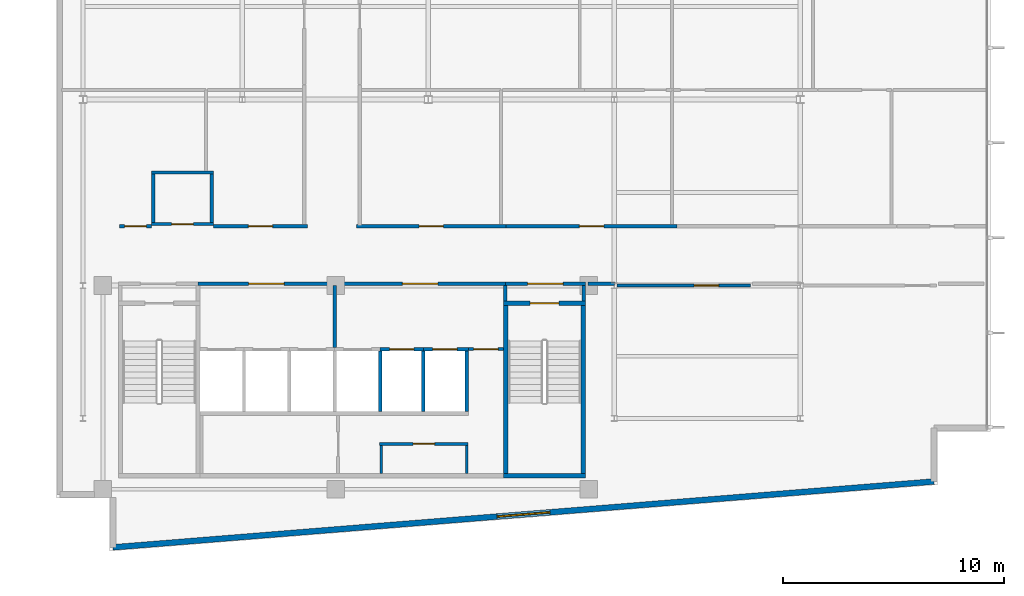
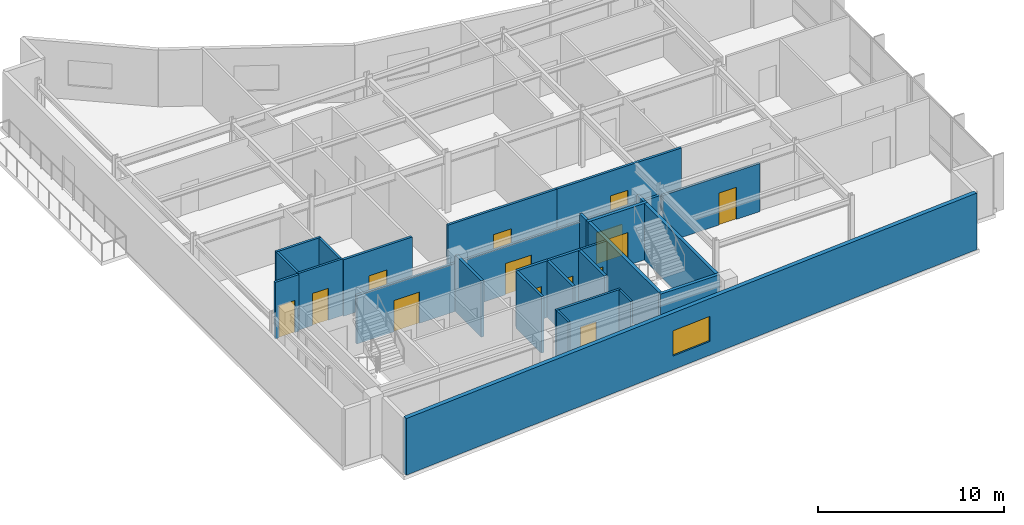
# One storey, part 11 of 16: 30 walls, 14 doors, 1 window, 15 openings.
"""IFC4 building model written with IfcOpenShell, lengths in metres."""

from ifc_helpers import new_model, si_unit, direction, frame, frame_2d, origin, place, context, subcontext, project, spatial, rectangle, extrude, material, layer, layer_set, type_object, element, fill, save


model = new_model("IFC4")

# Units and contexts
model_context = context("Model", 3, precision=1e-05, world=origin(), true_north=direction((0.0, 1.0)))
body_context = subcontext(model_context, "Body", "Model", "MODEL_VIEW")
ifc_project = project(units=[si_unit("LENGTHUNIT", "METRE"), si_unit("AREAUNIT", "SQUARE_METRE"), si_unit("VOLUMEUNIT", "CUBIC_METRE"), si_unit("PLANEANGLEUNIT", "RADIAN"), si_unit("MASSUNIT", "GRAM", prefix="KILO")], contexts=[model_context])

# Site, building, storey
site_placement = place(None, origin())
site = spatial("IfcSite", under=ifc_project, at=site_placement, CompositionType="ELEMENT")
building_placement = place(site_placement, origin())
building = spatial("IfcBuilding", under=site, at=building_placement, Name="Varnakote Quay Hospital", CompositionType="ELEMENT")
storey_placement = place(building_placement, frame((0.0, 0.0, 264.449951171875)))
storey = spatial("IfcBuildingStorey", under=building, at=storey_placement, Name="L65", CompositionType="ELEMENT", Elevation=264.449951171875)

# Wall, opening, door
ifc_material_1 = material(Name="Fire-rated acoustic gypsum stud wall", Category="gypsum")
ifc_layer_1 = layer(ifc_material_1, 0.159912109375)
ifc_layer_set_1 = layer_set([ifc_layer_1], Name="Fire-rated acoustic gypsum stud wall")
wall_type_1 = type_object("IfcWallType", Name="WL-COMP-160", PredefinedType="PARTITIONING", material=ifc_layer_set_1)
wall_1_placement = place(storey_placement, frame((6.39990234375, 12.080078125, 0.0), z_axis=(0.0, 0.0, 1.0), x_axis=(1.0, 0.0, 0.0)))
wall_1 = element("IfcWall", 1, at=wall_1_placement, inside=storey, type_object=wall_type_1, Name="L65 Firefighting Lift Lobby Compartment Wall", PredefinedType="PARTITIONING", context=body_context, shape_type="SweptSolid", body=[
    extrude(rectangle(XDim=6.18017578125, YDim=0.159912109375, at=frame_2d((3.090087890625, 0.0))), origin(), (0.0, 0.0, 1.0), 3.156982421875),
])
opening_1_placement = place(wall_1_placement, frame((2.2900390625, 0.0, 0.0)))
opening_1 = element("IfcOpeningElement", 2, at=opening_1_placement, cuts=wall_1, Name="Opening D-FFL-L65", PredefinedType="OPENING", context=body_context, shape_type="SweptSolid", body=[
    extrude(rectangle(XDim=1.60009765625, YDim=2.050048828125, at=frame_2d((0.800048828125, 1.02490234375))), frame((0.0, 0.08984375, 0.0), z_axis=(0.0, -1.0, 0.0), x_axis=(1.0, 0.0, 0.0)), (0.0, 0.0, 1.0), 0.179931640625),
])
ifc_material_2 = material(Name="Fire-rated double smoke lobby door")
door_type_1 = type_object("IfcDoorType", Name="DR-LOBBY-FD60S-1600x2150", OperationType="NOTDEFINED", PredefinedType="DOOR", material=ifc_material_2)
door_1_placement = place(opening_1_placement, origin())
door_1 = element("IfcDoor", 3, at=door_1_placement, inside=storey, type_object=door_type_1, Name="L65 Firefighting Smoke Vestibule Door", OperationType="DOUBLE_DOOR_SINGLE_SWING", OverallHeight=2.050048828125, OverallWidth=1.60009765625, PredefinedType="DOOR", context=body_context, shape_type="SweptSolid", body=[
    extrude(rectangle(XDim=1.60009765625, YDim=2.050048828125, at=frame_2d((0.800048828125, 1.02490234375))), frame((0.0, 0.02490234375, 0.0), z_axis=(0.0, -1.0, 0.0), x_axis=(1.0, 0.0, 0.0)), (0.0, 0.0, 1.0), 0.050048828125),
])
fill(opening_1, door_1)

# Wall
wall_2_placement = place(storey_placement, frame((12.580078125, 9.2099609375, 0.0), z_axis=(0.0, 0.0, 1.0), x_axis=(0.0, 1.0, 0.0)))
element("IfcWall", 4, at=wall_2_placement, inside=storey, type_object=wall_type_1, Name="L65 Firefighting to Service Lobby Wall", PredefinedType="PARTITIONING", context=body_context, shape_type="SweptSolid", body=[
    extrude(rectangle(XDim=2.7900390625, YDim=0.159912109375, at=frame_2d((1.39501953125, 0.0))), origin(), (0.0, 0.0, 1.0), 3.7099609375),
])

# Wall, opening, door
wall_3_placement = place(storey_placement, frame((12.580078125, 12.080078125, 0.0), z_axis=(0.0, 0.0, 1.0), x_axis=(1.0, 0.0, 0.0)))
wall_3 = element("IfcWall", 5, at=wall_3_placement, inside=storey, type_object=wall_type_1, Name="L65 Clinical Bed Lift Lobby Wall", PredefinedType="PARTITIONING", context=body_context, shape_type="SweptSolid", body=[
    extrude(rectangle(XDim=7.699951171875, YDim=0.159912109375, at=frame_2d((3.85009765625, 0.0))), origin(), (0.0, 0.0, 1.0), 3.156982421875),
])
opening_2_placement = place(wall_3_placement, frame((3.050048828125, 0.0, 0.0)))
opening_2 = element("IfcOpeningElement", 6, at=opening_2_placement, cuts=wall_3, Name="Opening D-SVL-L65", PredefinedType="OPENING", context=body_context, shape_type="SweptSolid", body=[
    extrude(rectangle(XDim=1.60009765625, YDim=2.050048828125, at=frame_2d((0.800048828125, 1.02490234375))), frame((0.0, 0.08984375, 0.0), z_axis=(0.0, -1.0, 0.0), x_axis=(1.0, 0.0, 0.0)), (0.0, 0.0, 1.0), 0.179931640625),
])
door_2_placement = place(opening_2_placement, origin())
door_2 = element("IfcDoor", 7, at=door_2_placement, inside=storey, type_object=door_type_1, Name="L65 Clinical Core Smoke Vestibule Door", OperationType="DOUBLE_DOOR_SINGLE_SWING", OverallHeight=2.050048828125, OverallWidth=1.60009765625, PredefinedType="DOOR", context=body_context, shape_type="SweptSolid", body=[
    extrude(rectangle(XDim=1.60009765625, YDim=2.050048828125, at=frame_2d((0.800048828125, 1.02490234375))), frame((0.0, 0.02490234375, 0.0), z_axis=(0.0, -1.0, 0.0), x_axis=(1.0, 0.0, 0.0)), (0.0, 0.0, 1.0), 0.050048828125),
])
fill(opening_2, door_2)

# Wall
wall_4_placement = place(storey_placement, frame((20.280029296875, 11.300048828125, 0.0), z_axis=(0.0, 0.0, 1.0), x_axis=(0.0, 1.0, 0.0)))
element("IfcWall", 8, at=wall_4_placement, inside=storey, type_object=wall_type_1, Name="L65 East Stair Vestibule Divider Wall", PredefinedType="PARTITIONING", context=body_context, shape_type="SweptSolid", body=[
    extrude(rectangle(XDim=0.699951171875, YDim=0.159912109375, at=frame_2d((0.35009765625, 0.0))), origin(), (0.0, 0.0, 1.0), 3.7099609375),
])

# Wall, opening, door
wall_5_placement = place(storey_placement, frame((20.280029296875, 12.080078125, 0.0), z_axis=(0.0, 0.0, 1.0), x_axis=(1.0, 0.0, 0.0)))
wall_5 = element("IfcWall", 9, at=wall_5_placement, inside=storey, type_object=wall_type_1, Name="L65 East Stair Vestibule Smoke Wall", PredefinedType="PARTITIONING", context=body_context, shape_type="SweptSolid", body=[
    extrude(rectangle(XDim=3.619873046875, YDim=0.159912109375, at=frame_2d((1.81005859375, 0.0))), origin(), (0.0, 0.0, 1.0), 3.156982421875),
])
opening_3_placement = place(wall_5_placement, frame((1.010009765625, 0.0, 0.0)))
opening_3 = element("IfcOpeningElement", 10, at=opening_3_placement, cuts=wall_5, Name="Opening D-ST2L-L65", PredefinedType="OPENING", context=body_context, shape_type="SweptSolid", body=[
    extrude(rectangle(XDim=1.60009765625, YDim=2.050048828125, at=frame_2d((0.800048828125, 1.02490234375))), frame((0.0, 0.08984375, 0.0), z_axis=(0.0, -1.0, 0.0), x_axis=(1.0, 0.0, 0.0)), (0.0, 0.0, 1.0), 0.179931640625),
])
door_3_placement = place(opening_3_placement, origin())
door_3 = element("IfcDoor", 11, at=door_3_placement, inside=storey, type_object=door_type_1, Name="L65 East Stair Vestibule Smoke Door", OperationType="DOUBLE_DOOR_SINGLE_SWING", OverallHeight=2.050048828125, OverallWidth=1.60009765625, PredefinedType="DOOR", context=body_context, shape_type="SweptSolid", body=[
    extrude(rectangle(XDim=1.60009765625, YDim=2.050048828125, at=frame_2d((0.800048828125, 1.02490234375))), frame((0.0, 0.02490234375, 0.0), z_axis=(0.0, -1.0, 0.0), x_axis=(1.0, 0.0, 0.0)), (0.0, 0.0, 1.0), 0.050048828125),
])
fill(opening_3, door_3)

# Walls
wall_6_placement = place(storey_placement, frame((23.820068359375, 11.300048828125, 0.0), z_axis=(0.0, 0.0, 1.0), x_axis=(0.0, 1.0, 0.0)))
element("IfcWall", 12, at=wall_6_placement, inside=storey, type_object=wall_type_1, Name="L65 East Stair Vestibule East Wall", PredefinedType="PARTITIONING", context=body_context, shape_type="SweptSolid", body=[
    extrude(rectangle(XDim=0.699951171875, YDim=0.159912109375, at=frame_2d((0.35009765625, 0.0))), origin(), (0.0, 0.0, 1.0), 3.7099609375),
])
wall_7_placement = place(storey_placement, frame((24.02001953125, 12.080078125, 0.0), z_axis=(0.0, 0.0, 1.0), x_axis=(1.0, 0.0, 0.0)))
element("IfcWall", 13, at=wall_7_placement, inside=storey, type_object=wall_type_1, Name="L65 Corridor South Gap Wall", PredefinedType="PARTITIONING", context=body_context, shape_type="SweptSolid", body=[
    extrude(rectangle(XDim=1.2177734375, YDim=0.159912109375, at=frame_2d((0.60888671875, 0.0))), origin(), (0.0, 0.0, 1.0), 3.156982421875),
])

# Wall, opening, window
ifc_material_3 = material(Name="Precast concrete N50 (f'c 50 MPa)", Category="concrete")
ifc_layer_2 = layer(ifc_material_3, 0.260009765625)
ifc_layer_set_2 = layer_set([ifc_layer_2], Name="Precast concrete N50 (f'c 50 MPa)")
wall_type_2 = type_object("IfcWallType", Name="WL-EXT-BRICK-260", PredefinedType="STANDARD", material=ifc_layer_set_2)
wall_8_placement = place(storey_placement, frame((2.56005859375, 0.17333984375, 0.0), z_axis=(0.0, 0.0, 1.0), x_axis=(0.996798206282, 0.079958338856, 0.0)))
wall_8 = element("IfcWall", 14, at=wall_8_placement, inside=storey, type_object=wall_type_2, Name="L65 Brick-Faced Precast Exterior Wall", PredefinedType="STANDARD", context=body_context, shape_type="SweptSolid", body=[
    extrude(rectangle(XDim=37.198974609375, YDim=0.260009765625, at=frame_2d((18.599609375, 0.0))), origin(), (0.0, 0.0, 1.0), 3.7099609375),
])
opening_4_placement = place(wall_8_placement, frame((17.399658203125, 0.0, 0.89990234375)))
opening_4 = element("IfcOpeningElement", 15, at=opening_4_placement, cuts=wall_8, Name="Opening WN-0262", PredefinedType="OPENING", context=body_context, shape_type="SweptSolid", body=[
    extrude(rectangle(XDim=2.39990234375, YDim=1.64990234375, at=frame_2d((1.199951171875, 0.824951171875))), frame((0.0, 0.139892578125, 0.0), z_axis=(0.0, -1.0, 0.0), x_axis=(1.0, 0.0, 0.0)), (0.0, 0.0, 1.0), 0.280029296875),
])
ifc_material_4 = material(Name="Double-glazed low-E solar glass", Category="glass")
window_type = type_object("IfcWindowType", Name="WIN-CLIN-2400x1650", PartitioningType="SINGLE_PANEL", PredefinedType="WINDOW", material=ifc_material_4)
window_placement = place(opening_4_placement, origin())
window = element("IfcWindow", 16, at=window_placement, inside=storey, type_object=window_type, Name="L65 Solar-Control Clinical Window", OverallHeight=1.64990234375, OverallWidth=2.39990234375, PartitioningType="SINGLE_PANEL", PredefinedType="WINDOW", context=body_context, shape_type="SweptSolid", body=[
    extrude(rectangle(XDim=2.39990234375, YDim=1.64990234375, at=frame_2d((1.199951171875, 0.824951171875))), frame((0.0, 0.030029296875, 0.0), z_axis=(0.0, -1.0, 0.0), x_axis=(1.0, 0.0, 0.0)), (0.0, 0.0, 1.0), 0.06005859375),
])
fill(opening_4, window)

# Walls
ifc_material_5 = material(Name="Concrete N50 (f'c 50 MPa)", Category="concrete")
ifc_layer_3 = layer(ifc_material_5, 0.14990234375)
ifc_layer_set_3 = layer_set([ifc_layer_3], Name="Concrete N50 (f'c 50 MPa)")
wall_type_3 = type_object("IfcWallType", Name="WL-SHAFT-N50-150", PredefinedType="SHEAR", material=ifc_layer_set_3)
for number, where, z_axis, x_axis, name in (
    (17, (14.625, 6.300048828125, 0.0), (0.0, 0.0, 1.0), (0.0, 1.0, 0.0), "L65 LF-SV2 Hoistway Divider Wall"),
    (18, (16.574951171875, 6.300048828125, 0.0), (0.0, 0.0, 1.0), (0.0, 1.0, 0.0), "L65 LF-PH1 Hoistway Divider Wall"),
):
    element("IfcWall", number, at=place(storey_placement, frame(where, z_axis=z_axis, x_axis=x_axis)), inside=storey, type_object=wall_type_3, Name=name, PredefinedType="SHEAR", context=body_context, shape_type="SweptSolid", body=[
        extrude(rectangle(XDim=2.75, YDim=0.14990234375, at=frame_2d((1.375, 0.0))), origin(), (0.0, 0.0, 1.0), 3.7099609375),
    ])
ifc_material_6 = material(Name="Concrete N50 (f'c 50 MPa)", Category="concrete")
ifc_layer_4 = layer(ifc_material_6, 0.159912109375)
ifc_layer_set_4 = layer_set([ifc_layer_4], Name="Concrete N50 (f'c 50 MPa)")
wall_type_4 = type_object("IfcWallType", Name="WL-SHAFT-N50-160", PredefinedType="SHEAR", material=ifc_layer_set_4)
wall_9_placement = place(storey_placement, frame((18.530029296875, 6.300048828125, 0.0), z_axis=(0.0, 0.0, 1.0), x_axis=(0.0, 1.0, 0.0)))
element("IfcWall", 19, at=wall_9_placement, inside=storey, type_object=wall_type_4, Name="L65 REAR Lift Bank East Shear Wall", PredefinedType="SHEAR", context=body_context, shape_type="SweptSolid", body=[
    extrude(rectangle(XDim=2.75, YDim=0.159912109375, at=frame_2d((1.375, 0.0))), origin(), (0.0, 0.0, 1.0), 3.7099609375),
])

# Wall, opening, door
wall_10_placement = place(storey_placement, frame((14.625, 9.1298828125, 0.0), z_axis=(0.0, 0.0, 1.0), x_axis=(1.0, 0.0, 0.0)))
wall_10 = element("IfcWall", 20, at=wall_10_placement, inside=storey, type_object=wall_type_4, Name="L65 LF-PH1 Hoistway Front Wall", PredefinedType="SHEAR", context=body_context, shape_type="SweptSolid", body=[
    extrude(rectangle(XDim=1.949951171875, YDim=0.159912109375, at=frame_2d((0.97509765625, 0.0))), origin(), (0.0, 0.0, 1.0), 3.7099609375),
])
opening_5_placement = place(wall_10_placement, frame((0.425048828125, 0.0, 0.0)))
opening_5 = element("IfcOpeningElement", 21, at=opening_5_placement, cuts=wall_10, Name="Opening LD-PH1-L65", PredefinedType="OPENING", context=body_context, shape_type="SweptSolid", body=[
    extrude(rectangle(XDim=1.10009765625, YDim=2.14990234375, at=frame_2d((0.550048828125, 1.074951171875))), frame((0.0, 0.08984375, 0.0), z_axis=(0.0, -1.0, 0.0), x_axis=(1.0, 0.0, 0.0)), (0.0, 0.0, 1.0), 0.179931640625),
])
ifc_material_7 = material(Name="Brushed bronze lift landing sliding door")
door_type_2 = type_object("IfcDoorType", Name="DR-LIFT-LD-1100x2150", OperationType="NOTDEFINED", PredefinedType="DOOR", material=ifc_material_7)
door_4_placement = place(opening_5_placement, origin())
door_4 = element("IfcDoor", 22, at=door_4_placement, inside=storey, type_object=door_type_2, Name="L65 LF-PH1 Lift Landing Sliding Door", OperationType="SLIDING_TO_LEFT", OverallHeight=2.14990234375, OverallWidth=1.10009765625, PredefinedType="DOOR", context=body_context, shape_type="SweptSolid", body=[
    extrude(rectangle(XDim=1.10009765625, YDim=2.14990234375, at=frame_2d((0.550048828125, 1.074951171875))), frame((0.0, 0.02490234375, 0.0), z_axis=(0.0, -1.0, 0.0), x_axis=(1.0, 0.0, 0.0)), (0.0, 0.0, 1.0), 0.050048828125),
])
fill(opening_5, door_4)

wall_11_placement = place(storey_placement, frame((16.574951171875, 9.1298828125, 0.0), z_axis=(0.0, 0.0, 1.0), x_axis=(1.0, 0.0, 0.0)))
wall_11 = element("IfcWall", 23, at=wall_11_placement, inside=storey, type_object=wall_type_4, Name="L65 LF-PH2 Hoistway Front Wall", PredefinedType="SHEAR", context=body_context, shape_type="SweptSolid", body=[
    extrude(rectangle(XDim=2.03515625, YDim=0.159912109375, at=frame_2d((1.017578125, 0.0))), origin(), (0.0, 0.0, 1.0), 3.7099609375),
])
opening_6_placement = place(wall_11_placement, frame((0.425048828125, 0.0, 0.0)))
opening_6 = element("IfcOpeningElement", 24, at=opening_6_placement, cuts=wall_11, Name="Opening LD-PH2-L65", PredefinedType="OPENING", context=body_context, shape_type="SweptSolid", body=[
    extrude(rectangle(XDim=1.10009765625, YDim=2.14990234375, at=frame_2d((0.550048828125, 1.074951171875))), frame((0.0, 0.08984375, 0.0), z_axis=(0.0, -1.0, 0.0), x_axis=(1.0, 0.0, 0.0)), (0.0, 0.0, 1.0), 0.179931640625),
])
door_5_placement = place(opening_6_placement, origin())
door_5 = element("IfcDoor", 25, at=door_5_placement, inside=storey, type_object=door_type_2, Name="L65 LF-PH2 Lift Landing Sliding Door", OperationType="SLIDING_TO_LEFT", OverallHeight=2.14990234375, OverallWidth=1.10009765625, PredefinedType="DOOR", context=body_context, shape_type="SweptSolid", body=[
    extrude(rectangle(XDim=1.10009765625, YDim=2.14990234375, at=frame_2d((0.550048828125, 1.074951171875))), frame((0.0, 0.02490234375, 0.0), z_axis=(0.0, -1.0, 0.0), x_axis=(1.0, 0.0, 0.0)), (0.0, 0.0, 1.0), 0.050048828125),
])
fill(opening_6, door_5)

# Walls
ifc_material_8 = material(Name="Concrete N50 (f'c 50 MPa)", Category="concrete")
ifc_layer_5 = layer(ifc_material_8, 0.199951171875)
ifc_layer_set_5 = layer_set([ifc_layer_5], Name="Concrete N50 (f'c 50 MPa)")
wall_type_5 = type_object("IfcWallType", Name="WL-SHAFT-N50-200", PredefinedType="SHEAR", material=ifc_layer_set_5)
wall_12_placement = place(storey_placement, frame((20.199951171875, 3.39990234375, 0.0), z_axis=(0.0, 0.0, 1.0), x_axis=(1.0, 0.0, 0.0)))
element("IfcWall", 26, at=wall_12_placement, inside=storey, type_object=wall_type_5, Name="L65 Stair ST2 South Shaft Wall", PredefinedType="SHEAR", context=body_context, shape_type="SweptSolid", body=[
    extrude(rectangle(XDim=3.699951171875, YDim=0.199951171875, at=frame_2d((1.85009765625, 0.0))), origin(), (0.0, 0.0, 1.0), 3.7099609375),
])
for number, where, z_axis, x_axis, name in (
    (27, (20.300048828125, 3.5, 0.0), (0.0, 0.0, 1.0), (0.0, 1.0, 0.0), "L65 Stair ST2 West Shaft Wall"),
    (28, (23.800048828125, 3.5, 0.0), (0.0, 0.0, 1.0), (0.0, 1.0, 0.0), "L65 Stair ST2 East Shaft Wall"),
):
    element("IfcWall", number, at=place(storey_placement, frame(where, z_axis=z_axis, x_axis=x_axis)), inside=storey, type_object=wall_type_5, Name=name, PredefinedType="SHEAR", context=body_context, shape_type="SweptSolid", body=[
        extrude(rectangle(XDim=7.60009765625, YDim=0.199951171875, at=frame_2d((3.800048828125, 0.0))), origin(), (0.0, 0.0, 1.0), 3.7099609375),
    ])

# Wall, opening, door
wall_13_placement = place(storey_placement, frame((20.199951171875, 11.199951171875, 0.0), z_axis=(0.0, 0.0, 1.0), x_axis=(1.0, 0.0, 0.0)))
wall_13 = element("IfcWall", 29, at=wall_13_placement, inside=storey, type_object=wall_type_5, Name="L65 Stair ST2 Exit Wall", PredefinedType="SHEAR", context=body_context, shape_type="SweptSolid", body=[
    extrude(rectangle(XDim=3.699951171875, YDim=0.199951171875, at=frame_2d((1.85009765625, 0.0))), origin(), (0.0, 0.0, 1.0), 3.7099609375),
])
opening_7_placement = place(wall_13_placement, frame((1.199951171875, 0.0, 0.0)))
opening_7 = element("IfcOpeningElement", 30, at=opening_7_placement, cuts=wall_13, Name="Opening D-ST2-L65", PredefinedType="OPENING", context=body_context, shape_type="SweptSolid", body=[
    extrude(rectangle(XDim=1.300048828125, YDim=2.14990234375, at=frame_2d((0.64990234375, 1.074951171875))), frame((0.0, 0.10986328125, 0.0), z_axis=(0.0, -1.0, 0.0), x_axis=(1.0, 0.0, 0.0)), (0.0, 0.0, 1.0), 0.219970703125),
])
ifc_material_9 = material(Name="Fire-rated ceramic-glazed timber exit door", Category="wood")
door_type_3 = type_object("IfcDoorType", Name="DR-STAIR-FD60S-1300x2150", OperationType="NOTDEFINED", PredefinedType="DOOR", material=ifc_material_9)
door_6_placement = place(opening_7_placement, origin())
door_6 = element("IfcDoor", 31, at=door_6_placement, inside=storey, type_object=door_type_3, Name="L65 Stair ST2 Fire Exit Door", OperationType="SINGLE_SWING_RIGHT", OverallHeight=2.14990234375, OverallWidth=1.300048828125, PredefinedType="DOOR", context=body_context, shape_type="SweptSolid", body=[
    extrude(rectangle(XDim=1.300048828125, YDim=2.14990234375, at=frame_2d((0.64990234375, 1.074951171875))), frame((0.0, 0.02490234375, 0.0), z_axis=(0.0, -1.0, 0.0), x_axis=(1.0, 0.0, 0.0)), (0.0, 0.0, 1.0), 0.050048828125),
])
fill(opening_7, door_6)

# Walls
ifc_material_10 = material(Name="Smoke-proof clinical partition", Category="gypsum")
ifc_layer_6 = layer(ifc_material_10, 0.1201171875)
ifc_layer_set_6 = layer_set([ifc_layer_6], Name="Smoke-proof clinical partition")
wall_type_6 = type_object("IfcWallType", Name="WL-SMOKE-120", PredefinedType="PARTITIONING", material=ifc_layer_set_6)
for number, where, z_axis, x_axis, name in (
    (32, (14.669921875, 3.52001953125, 0.0), (0.0, 0.0, 1.0), (0.0, 1.0, 0.0), "L65 Core WC West Wall"),
    (33, (18.5400390625, 3.52001953125, 0.0), (0.0, 0.0, 1.0), (0.0, 1.0, 0.0), "L65 Core WC East Wall"),
):
    element("IfcWall", number, at=place(storey_placement, frame(where, z_axis=z_axis, x_axis=x_axis)), inside=storey, type_object=wall_type_6, Name=name, PredefinedType="PARTITIONING", context=body_context, shape_type="SweptSolid", body=[
        extrude(rectangle(XDim=1.260009765625, YDim=0.1201171875, at=frame_2d((0.6298828125, 0.0))), origin(), (0.0, 0.0, 1.0), 3.7099609375),
    ])

# Wall, opening, door
ifc_material_11 = material(Name="Fire-rated clinical gypsum partition", Category="gypsum")
ifc_layer_7 = layer(ifc_material_11, 0.139892578125)
ifc_layer_set_7 = layer_set([ifc_layer_7], Name="Fire-rated clinical gypsum partition")
wall_type_7 = type_object("IfcWallType", Name="WL-WARD-140", PredefinedType="PARTITIONING", material=ifc_layer_set_7)
wall_14_placement = place(storey_placement, frame((14.60009765625, 4.85009765625, 0.0), z_axis=(0.0, 0.0, 1.0), x_axis=(1.0, 0.0, 0.0)))
wall_14 = element("IfcWall", 34, at=wall_14_placement, inside=storey, type_object=wall_type_7, Name="L65 Core Staff Sanitary WC North Wall", PredefinedType="PARTITIONING", context=body_context, shape_type="SweptSolid", body=[
    extrude(rectangle(XDim=4.0, YDim=0.139892578125, at=frame_2d((2.0, 0.0))), origin(), (0.0, 0.0, 1.0), 3.7099609375),
])
opening_8_placement = place(wall_14_placement, frame((1.510009765625, 0.0, 0.0)))
opening_8 = element("IfcOpeningElement", 35, at=opening_8_placement, cuts=wall_14, Name="Opening D-L65-CR02", PredefinedType="OPENING", context=body_context, shape_type="SweptSolid", body=[
    extrude(rectangle(XDim=0.97998046875, YDim=2.10009765625, at=frame_2d((0.489990234375, 1.050048828125))), frame((0.0, 0.079833984375, 0.0), z_axis=(0.0, -1.0, 0.0), x_axis=(1.0, 0.0, 0.0)), (0.0, 0.0, 1.0), 0.159912109375),
])
ifc_material_12 = material(Name="Accessible sanitary compartment door")
door_type_4 = type_object("IfcDoorType", Name="DR-WC-980x2100", OperationType="NOTDEFINED", PredefinedType="DOOR", material=ifc_material_12)
door_7_placement = place(opening_8_placement, origin())
door_7 = element("IfcDoor", 36, at=door_7_placement, inside=storey, type_object=door_type_4, Name="L65 Core Staff Sanitary WC Door", OperationType="SINGLE_SWING_RIGHT", OverallHeight=2.10009765625, OverallWidth=0.97998046875, PredefinedType="DOOR", context=body_context, shape_type="SweptSolid", body=[
    extrude(rectangle(XDim=0.97998046875, YDim=2.10009765625, at=frame_2d((0.489990234375, 1.050048828125))), frame((0.0, 0.02490234375, 0.0), z_axis=(0.0, -1.0, 0.0), x_axis=(1.0, 0.0, 0.0)), (0.0, 0.0, 1.0), 0.050048828125),
])
fill(opening_8, door_7)

wall_15_placement = place(storey_placement, frame((18.610107421875, 9.1298828125, 0.0), z_axis=(0.0, 0.0, 1.0), x_axis=(1.0, 0.0, 0.0)))
wall_15 = element("IfcWall", 37, at=wall_15_placement, inside=storey, type_object=wall_type_7, Name="L65 Core Service Corridor North Door Wall", PredefinedType="PARTITIONING", context=body_context, shape_type="SweptSolid", body=[
    extrude(rectangle(XDim=1.58984375, YDim=0.139892578125, at=frame_2d((0.794921875, 0.0))), origin(), (0.0, 0.0, 1.0), 3.7099609375),
])
opening_9_placement = place(wall_15_placement, frame((0.239990234375, 0.0, 0.0)))
opening_9 = element("IfcOpeningElement", 38, at=opening_9_placement, cuts=wall_15, Name="Opening D-CSRV-L65", PredefinedType="OPENING", context=body_context, shape_type="SweptSolid", body=[
    extrude(rectangle(XDim=1.10009765625, YDim=2.10009765625, at=frame_2d((0.550048828125, 1.050048828125))), frame((0.0, 0.079833984375, 0.0), z_axis=(0.0, -1.0, 0.0), x_axis=(1.0, 0.0, 0.0)), (0.0, 0.0, 1.0), 0.159912109375),
])
ifc_material_13 = material(Name="Acoustic timber clinical consult door", Category="wood")
door_type_5 = type_object("IfcDoorType", Name="DR-CLIN-FD30S-1100x2100", OperationType="NOTDEFINED", PredefinedType="DOOR", material=ifc_material_13)
door_8_placement = place(opening_9_placement, origin())
door_8 = element("IfcDoor", 39, at=door_8_placement, inside=storey, type_object=door_type_5, Name="L65 Core Service Corridor Door", OperationType="SINGLE_SWING_LEFT", OverallHeight=2.10009765625, OverallWidth=1.10009765625, PredefinedType="DOOR", context=body_context, shape_type="SweptSolid", body=[
    extrude(rectangle(XDim=1.10009765625, YDim=2.10009765625, at=frame_2d((0.550048828125, 1.050048828125))), frame((0.0, 0.02490234375, 0.0), z_axis=(0.0, -1.0, 0.0), x_axis=(1.0, 0.0, 0.0)), (0.0, 0.0, 1.0), 0.050048828125),
])
fill(opening_9, door_8)

wall_16_placement = place(storey_placement, frame((4.31005859375, 14.77001953125, 0.0), z_axis=(0.0, 0.0, 1.0), x_axis=(1.0, 0.0, 0.0)))
wall_16 = element("IfcWall", 40, at=wall_16_placement, inside=storey, type_object=wall_type_7, Name="L65 Floor Unisex Accessible WC S Wall", PredefinedType="PARTITIONING", context=body_context, shape_type="SweptSolid", body=[
    extrude(rectangle(XDim=2.780029296875, YDim=0.139892578125, at=frame_2d((1.39013671875, 0.0))), origin(), (0.0, 0.0, 1.0), 3.7099609375),
])
opening_10_placement = place(wall_16_placement, frame((0.89990234375, 0.0, 0.0)))
opening_10 = element("IfcOpeningElement", 41, at=opening_10_placement, cuts=wall_16, Name="Opening D-L65-EW01", PredefinedType="OPENING", context=body_context, shape_type="SweptSolid", body=[
    extrude(rectangle(XDim=0.97998046875, YDim=2.10009765625, at=frame_2d((0.489990234375, 1.050048828125))), frame((0.0, 0.079833984375, 0.0), z_axis=(0.0, -1.0, 0.0), x_axis=(1.0, 0.0, 0.0)), (0.0, 0.0, 1.0), 0.159912109375),
])
door_9_placement = place(opening_10_placement, origin())
door_9 = element("IfcDoor", 42, at=door_9_placement, inside=storey, type_object=door_type_4, Name="L65 Floor Unisex Accessible WC Door", OperationType="SINGLE_SWING_RIGHT", OverallHeight=2.10009765625, OverallWidth=0.97998046875, PredefinedType="DOOR", context=body_context, shape_type="SweptSolid", body=[
    extrude(rectangle(XDim=0.97998046875, YDim=2.10009765625, at=frame_2d((0.489990234375, 1.050048828125))), frame((0.0, 0.02490234375, 0.0), z_axis=(0.0, -1.0, 0.0), x_axis=(1.0, 0.0, 0.0)), (0.0, 0.0, 1.0), 0.050048828125),
])
fill(opening_10, door_9)

# Walls
wall_17_placement = place(storey_placement, frame((4.31005859375, 17.110107421875, 0.0), z_axis=(0.0, 0.0, 1.0), x_axis=(1.0, 0.0, 0.0)))
element("IfcWall", 43, at=wall_17_placement, inside=storey, type_object=wall_type_7, Name="L65 Floor Unisex Accessible WC N Wall", PredefinedType="PARTITIONING", context=body_context, shape_type="SweptSolid", body=[
    extrude(rectangle(XDim=2.780029296875, YDim=0.139892578125, at=frame_2d((1.39013671875, 0.0))), origin(), (0.0, 0.0, 1.0), 3.7099609375),
])
for number, where, z_axis, x_axis, name in (
    (44, (4.3798828125, 14.840087890625, 0.0), (0.0, 0.0, 1.0), (0.0, 1.0, 0.0), "L65 Floor Unisex Accessible WC W Wall"),
    (45, (7.02001953125, 14.840087890625, 0.0), (0.0, 0.0, 1.0), (0.0, 1.0, 0.0), "L65 Floor Unisex Accessible WC E Wall"),
):
    element("IfcWall", number, at=place(storey_placement, frame(where, z_axis=z_axis, x_axis=x_axis)), inside=storey, type_object=wall_type_7, Name=name, PredefinedType="PARTITIONING", context=body_context, shape_type="SweptSolid", body=[
        extrude(rectangle(XDim=2.199951171875, YDim=0.139892578125, at=frame_2d((1.10009765625, 0.0))), origin(), (0.0, 0.0, 1.0), 3.7099609375),
    ])

# Wall, opening, door
ifc_material_14 = material(Name="Fire-rated clinical gypsum partition", Category="gypsum")
ifc_layer_8 = layer(ifc_material_14, 0.14990234375)
ifc_layer_set_8 = layer_set([ifc_layer_8], Name="Fire-rated clinical gypsum partition")
wall_type_8 = type_object("IfcWallType", Name="WL-WARD-150", PredefinedType="PARTITIONING", material=ifc_layer_set_8)
wall_18_placement = place(storey_placement, frame((31.35009765625, 12.0, 0.0), z_axis=(0.0, 0.0, 1.0), x_axis=(-1.0, 0.0, 0.0)))
wall_18 = element("IfcWall", 46, at=wall_18_placement, inside=storey, type_object=wall_type_8, Name="L65 Clinical Interior Partition", PredefinedType="PARTITIONING", context=body_context, shape_type="SweptSolid", body=[
    extrude(rectangle(XDim=6.023193359375, YDim=0.14990234375, at=frame_2d((3.01171875, 0.0))), origin(), (0.0, 0.0, 1.0), 3.156982421875),
])
opening_11_placement = place(wall_18_placement, frame((1.44384765625, 0.0, 0.0)))
opening_11 = element("IfcOpeningElement", 47, at=opening_11_placement, cuts=wall_18, Name="Opening D-L65-RL1", PredefinedType="OPENING", context=body_context, shape_type="SweptSolid", body=[
    extrude(rectangle(XDim=1.10009765625, YDim=2.10009765625, at=frame_2d((0.550048828125, 1.050048828125))), frame((0.0, 0.0849609375, 0.0), z_axis=(0.0, -1.0, 0.0), x_axis=(1.0, 0.0, 0.0)), (0.0, 0.0, 1.0), 0.169921875),
])
door_10_placement = place(opening_11_placement, origin())
door_10 = element("IfcDoor", 48, at=door_10_placement, inside=storey, type_object=door_type_5, Name="L65 Day Infusion Treatment Suite Door", OperationType="SINGLE_SWING_LEFT", OverallHeight=2.10009765625, OverallWidth=1.10009765625, PredefinedType="DOOR", context=body_context, shape_type="SweptSolid", body=[
    extrude(rectangle(XDim=1.10009765625, YDim=2.10009765625, at=frame_2d((0.550048828125, 1.050048828125))), frame((0.0, 0.02490234375, 0.0), z_axis=(0.0, -1.0, 0.0), x_axis=(1.0, 0.0, 0.0)), (0.0, 0.0, 1.0), 0.050048828125),
])
fill(opening_11, door_10)

wall_19_placement = place(storey_placement, frame((4.30810546875, 14.679931640625, 0.0), z_axis=(0.0, 0.0, 1.0), x_axis=(-1.0, 0.0, 0.0)))
wall_19 = element("IfcWall", 49, at=wall_19_placement, inside=storey, type_object=wall_type_8, Name="L65 Clinical Interior Partition", PredefinedType="PARTITIONING", context=body_context, shape_type="SweptSolid", body=[
    extrude(rectangle(XDim=1.4580078125, YDim=0.14990234375, at=frame_2d((0.72900390625, 0.0))), origin(), (0.0, 0.0, 1.0), 3.7099609375),
])
opening_12_placement = place(wall_19_placement, frame((0.239013671875, 0.0, 0.0)))
opening_12 = element("IfcOpeningElement", 50, at=opening_12_placement, cuts=wall_19, Name="Opening D-L65-MD01", PredefinedType="OPENING", context=body_context, shape_type="SweptSolid", body=[
    extrude(rectangle(XDim=0.97998046875, YDim=2.10009765625, at=frame_2d((0.489990234375, 1.050048828125))), frame((0.0, 0.0849609375, 0.0), z_axis=(0.0, -1.0, 0.0), x_axis=(1.0, 0.0, 0.0)), (0.0, 0.0, 1.0), 0.169921875),
])
door_11_placement = place(opening_12_placement, origin())
door_11 = element("IfcDoor", 51, at=door_11_placement, inside=storey, type_object=door_type_4, Name="L65 Day Procedure Treatment Suite Door", OperationType="SINGLE_SWING_LEFT", OverallHeight=2.10009765625, OverallWidth=0.97998046875, PredefinedType="DOOR", context=body_context, shape_type="SweptSolid", body=[
    extrude(rectangle(XDim=0.97998046875, YDim=2.10009765625, at=frame_2d((0.489990234375, 1.050048828125))), frame((0.0, 0.02490234375, 0.0), z_axis=(0.0, -1.0, 0.0), x_axis=(1.0, 0.0, 0.0)), (0.0, 0.0, 1.0), 0.050048828125),
])
fill(opening_12, door_11)

wall_20_placement = place(storey_placement, frame((11.345947265625, 14.679931640625, 0.0), z_axis=(0.0, 0.0, 1.0), x_axis=(-1.0, 0.0, 0.0)))
wall_20 = element("IfcWall", 52, at=wall_20_placement, inside=storey, type_object=wall_type_8, Name="L65 Clinical Interior Partition", PredefinedType="PARTITIONING", context=body_context, shape_type="SweptSolid", body=[
    extrude(rectangle(XDim=4.25390625, YDim=0.14990234375, at=frame_2d((2.126953125, 0.0))), origin(), (0.0, 0.0, 1.0), 3.7099609375),
])
opening_13_placement = place(wall_20_placement, frame((1.576904296875, 0.0, 0.0)))
opening_13 = element("IfcOpeningElement", 53, at=opening_13_placement, cuts=wall_20, Name="Opening D-L65-MD02", PredefinedType="OPENING", context=body_context, shape_type="SweptSolid", body=[
    extrude(rectangle(XDim=1.10009765625, YDim=2.10009765625, at=frame_2d((0.550048828125, 1.050048828125))), frame((0.0, 0.0849609375, 0.0), z_axis=(0.0, -1.0, 0.0), x_axis=(1.0, 0.0, 0.0)), (0.0, 0.0, 1.0), 0.169921875),
])
door_12_placement = place(opening_13_placement, origin())
door_12 = element("IfcDoor", 54, at=door_12_placement, inside=storey, type_object=door_type_5, Name="L65 Endoscopy Infusion Treatment Suite Door", OperationType="SINGLE_SWING_RIGHT", OverallHeight=2.10009765625, OverallWidth=1.10009765625, PredefinedType="DOOR", context=body_context, shape_type="SweptSolid", body=[
    extrude(rectangle(XDim=1.10009765625, YDim=2.10009765625, at=frame_2d((0.550048828125, 1.050048828125))), frame((0.0, 0.02490234375, 0.0), z_axis=(0.0, -1.0, 0.0), x_axis=(1.0, 0.0, 0.0)), (0.0, 0.0, 1.0), 0.050048828125),
])
fill(opening_13, door_12)

wall_21_placement = place(storey_placement, frame((20.31591796875, 14.679931640625, 0.0), z_axis=(0.0, 0.0, 1.0), x_axis=(-1.0, 0.0, 0.0)))
wall_21 = element("IfcWall", 55, at=wall_21_placement, inside=storey, type_object=wall_type_8, Name="L65 Clinical Interior Partition", PredefinedType="PARTITIONING", context=body_context, shape_type="SweptSolid", body=[
    extrude(rectangle(XDim=6.761962890625, YDim=0.14990234375, at=frame_2d((3.380859375, 0.0))), origin(), (0.0, 0.0, 1.0), 3.7099609375),
])
opening_14_placement = place(wall_21_placement, frame((2.8310546875, 0.0, 0.0)))
opening_14 = element("IfcOpeningElement", 56, at=opening_14_placement, cuts=wall_21, Name="Opening D-L65-MD03", PredefinedType="OPENING", context=body_context, shape_type="SweptSolid", body=[
    extrude(rectangle(XDim=1.10009765625, YDim=2.10009765625, at=frame_2d((0.550048828125, 1.050048828125))), frame((0.0, 0.0849609375, 0.0), z_axis=(0.0, -1.0, 0.0), x_axis=(1.0, 0.0, 0.0)), (0.0, 0.0, 1.0), 0.169921875),
])
door_13_placement = place(opening_14_placement, origin())
door_13 = element("IfcDoor", 57, at=door_13_placement, inside=storey, type_object=door_type_5, Name="L65 Ward Preparation Pantry Door", OperationType="SINGLE_SWING_LEFT", OverallHeight=2.10009765625, OverallWidth=1.10009765625, PredefinedType="DOOR", context=body_context, shape_type="SweptSolid", body=[
    extrude(rectangle(XDim=1.10009765625, YDim=2.10009765625, at=frame_2d((0.550048828125, 1.050048828125))), frame((0.0, 0.02490234375, 0.0), z_axis=(0.0, -1.0, 0.0), x_axis=(1.0, 0.0, 0.0)), (0.0, 0.0, 1.0), 0.050048828125),
])
fill(opening_14, door_13)

wall_22_placement = place(storey_placement, frame((28.035888671875, 14.679931640625, 0.0), z_axis=(0.0, 0.0, 1.0), x_axis=(-1.0, 0.0, 0.0)))
wall_22 = element("IfcWall", 58, at=wall_22_placement, inside=storey, type_object=wall_type_8, Name="L65 Clinical Interior Partition", PredefinedType="PARTITIONING", context=body_context, shape_type="SweptSolid", body=[
    extrude(rectangle(XDim=7.7177734375, YDim=0.14990234375, at=frame_2d((3.85888671875, 0.0))), origin(), (0.0, 0.0, 1.0), 3.7099609375),
])
opening_15_placement = place(wall_22_placement, frame((3.30908203125, 0.0, 0.0)))
opening_15 = element("IfcOpeningElement", 59, at=opening_15_placement, cuts=wall_22, Name="Opening D-L65-MD04", PredefinedType="OPENING", context=body_context, shape_type="SweptSolid", body=[
    extrude(rectangle(XDim=1.10009765625, YDim=2.10009765625, at=frame_2d((0.550048828125, 1.050048828125))), frame((0.0, 0.0849609375, 0.0), z_axis=(0.0, -1.0, 0.0), x_axis=(1.0, 0.0, 0.0)), (0.0, 0.0, 1.0), 0.169921875),
])
door_14_placement = place(opening_15_placement, origin())
door_14 = element("IfcDoor", 60, at=door_14_placement, inside=storey, type_object=door_type_5, Name="L65 Senior Clinician Office Door", OperationType="SINGLE_SWING_RIGHT", OverallHeight=2.10009765625, OverallWidth=1.10009765625, PredefinedType="DOOR", context=body_context, shape_type="SweptSolid", body=[
    extrude(rectangle(XDim=1.10009765625, YDim=2.10009765625, at=frame_2d((0.550048828125, 1.050048828125))), frame((0.0, 0.02490234375, 0.0), z_axis=(0.0, -1.0, 0.0), x_axis=(1.0, 0.0, 0.0)), (0.0, 0.0, 1.0), 0.050048828125),
])
fill(opening_15, door_14)

save(model, "model.ifc")
